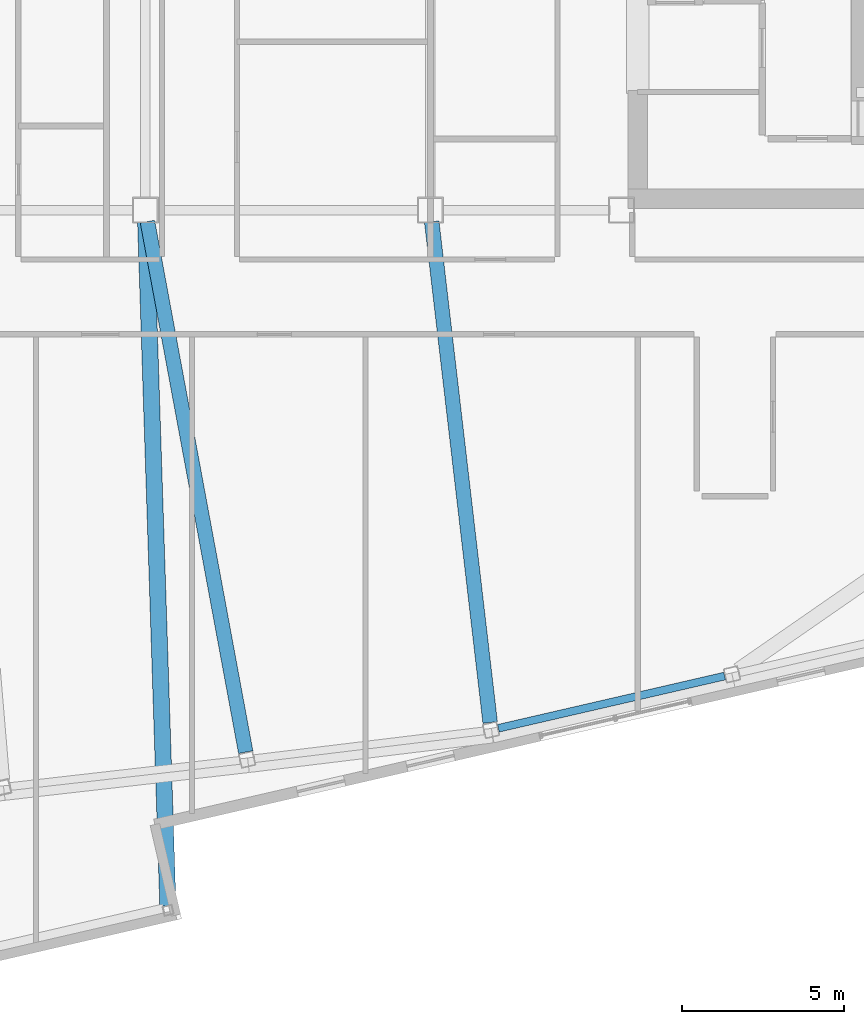
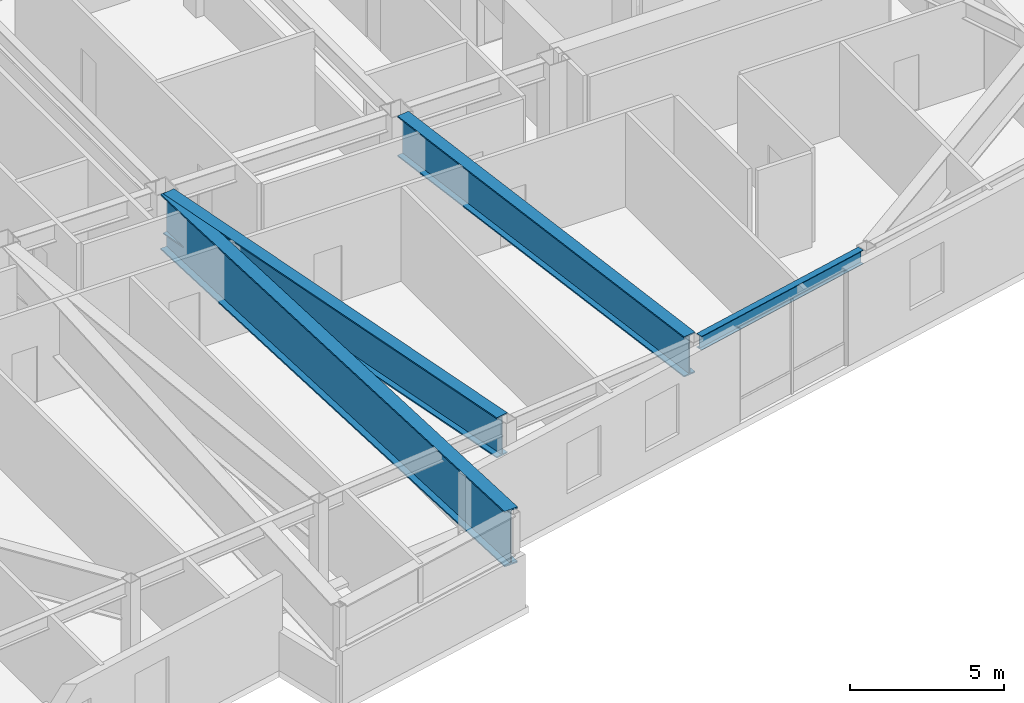
# One storey, part 7 of 21: 4 beams.
"""IFC4 building model written with IfcOpenShell, lengths in metres."""

from ifc_helpers import new_model, si_unit, direction, frame, origin, origin_2d, place, context, subcontext, project, spatial, i_section, extrude, material, material_profile, profile_set, type_object, element, save


model = new_model("IFC4")

# Units and contexts
model_context = context("Model", 3, precision=1e-05, world=origin(), true_north=direction((0.0, 1.0)))
body_context = subcontext(model_context, "Body", "Model", "MODEL_VIEW")
ifc_project = project(units=[si_unit("LENGTHUNIT", "METRE"), si_unit("AREAUNIT", "SQUARE_METRE"), si_unit("VOLUMEUNIT", "CUBIC_METRE"), si_unit("PLANEANGLEUNIT", "RADIAN"), si_unit("MASSUNIT", "GRAM", prefix="KILO")], contexts=[model_context])

# Site, building, storey
site_placement = place(None, origin())
site = spatial("IfcSite", under=ifc_project, at=site_placement, CompositionType="ELEMENT")
building_placement = place(site_placement, origin())
building = spatial("IfcBuilding", under=site, at=building_placement, Name="Tavrogorsk Clinical Tower", CompositionType="ELEMENT")
storey_placement = place(building_placement, frame((0.0, 0.0, 281.0)))
storey = spatial("IfcBuildingStorey", under=building, at=storey_placement, Name="L65", CompositionType="ELEMENT", Elevation=281.0)

# Beams
ifc_material_1 = material(Name="Structural steel S390", Category="steel")
ifc_material_profile_1 = material_profile(ifc_material_1, i_section(OverallWidth=0.239990234375, OverallDepth=0.550048828125, WebThickness=0.013916015625, FlangeThickness=0.02197265625, at=origin_2d()), Name="B-550x240x14x22")
ifc_profile_set_1 = profile_set([ifc_material_profile_1], Name="Structural steel S390")
beam_type_1 = type_object("IfcBeamType", Name="SpandrelBeam_B550", PredefinedType="SPANDREL", material=ifc_profile_set_1)
beam_1_placement = place(storey_placement, frame((6.499755859375, -22.344482421875, 3.465087890625), z_axis=(0.974369378592, 0.224954026551, 0.0), x_axis=(-0.224954026551, 0.974369378592, 0.0)))
element("IfcBeam", 1, at=beam_1_placement, inside=storey, type_object=beam_type_1, Name="L65 Perimeter Spandrel S5-S6", PredefinedType="SPANDREL", context=body_context, shape_type="SweptSolid", body=[
    extrude(i_section(OverallWidth=0.239990234375, OverallDepth=0.550048828125, WebThickness=0.013916015625, FlangeThickness=0.02197265625, at=origin_2d()), origin(), (0.0, 0.0, 1.0), 7.16845703125),
])
ifc_material_2 = material(Name="Structural steel S440", Category="steel")
ifc_material_profile_2 = material_profile(ifc_material_2, i_section(OverallWidth=0.449951171875, OverallDepth=1.60009765625, WebThickness=0.031982421875, FlangeThickness=0.050048828125, at=origin_2d()), Name="DK-1600x450x32x50")
ifc_profile_set_2 = profile_set([ifc_material_profile_2], Name="Structural steel S440")
beam_type_2 = type_object("IfcBeamType", Name="TransferGirder_DK1600", PredefinedType="USERDEFINED", material=ifc_profile_set_2)
beam_2_placement = place(storey_placement, frame((-4.33447265625, -6.703857421875, 2.93994140625), z_axis=(0.182185314471, -0.983264212301, 0.0), x_axis=(0.983264212301, 0.182185314471, 0.0)))
element("IfcBeam", 2, at=beam_2_placement, inside=storey, type_object=beam_type_2, Name="L65 Radial Floor Beam S4", ObjectType="GIRDER", PredefinedType="USERDEFINED", context=body_context, shape_type="SweptSolid", body=[
    extrude(i_section(OverallWidth=0.449951171875, OverallDepth=1.60009765625, WebThickness=0.031982421875, FlangeThickness=0.050048828125, at=origin_2d()), origin(), (0.0, 0.0, 1.0), 16.65576171875),
])
beam_3_placement = place(storey_placement, frame((4.441650390625, -6.70751953125, 2.93994140625), z_axis=(0.115913716413, -0.993259286565, 0.0), x_axis=(0.993259286565, 0.115913716413, 0.0)))
element("IfcBeam", 3, at=beam_3_placement, inside=storey, type_object=beam_type_2, Name="L65 Radial Floor Beam S5", ObjectType="GIRDER", PredefinedType="USERDEFINED", context=body_context, shape_type="SweptSolid", body=[
    extrude(i_section(OverallWidth=0.449951171875, OverallDepth=1.60009765625, WebThickness=0.031982421875, FlangeThickness=0.050048828125, at=origin_2d()), origin(), (0.0, 0.0, 1.0), 15.56298828125),
])
ifc_material_3 = material(Name="Structural steel S440", Category="steel")
ifc_material_profile_3 = material_profile(ifc_material_3, i_section(OverallWidth=0.5, OverallDepth=2.199951171875, WebThickness=0.035888671875, FlangeThickness=0.054931640625, at=origin_2d()), Name="DK-2200x500x36x55")
ifc_profile_set_3 = profile_set([ifc_material_profile_3], Name="Structural steel S440")
beam_type_3 = type_object("IfcBeamType", Name="TransferGirder_DK2200", PredefinedType="USERDEFINED", material=ifc_profile_set_3)
beam_4_placement = place(storey_placement, frame((-4.388427734375, -6.709716796875, 2.639892578125), z_axis=(0.032465127414, -0.999472868817, 0.0), x_axis=(0.999472868817, 0.032465127414, 0.0)))
element("IfcBeam", 4, at=beam_4_placement, inside=storey, type_object=beam_type_3, Name="L65 Day-Room Cantilever Beam DRB-09-R", ObjectType="GIRDER", PredefinedType="USERDEFINED", context=body_context, shape_type="SweptSolid", body=[
    extrude(i_section(OverallWidth=0.5, OverallDepth=2.199951171875, WebThickness=0.035888671875, FlangeThickness=0.054931640625, at=origin_2d()), origin(), (0.0, 0.0, 1.0), 21.1240234375),
])

save(model, "model.ifc")
